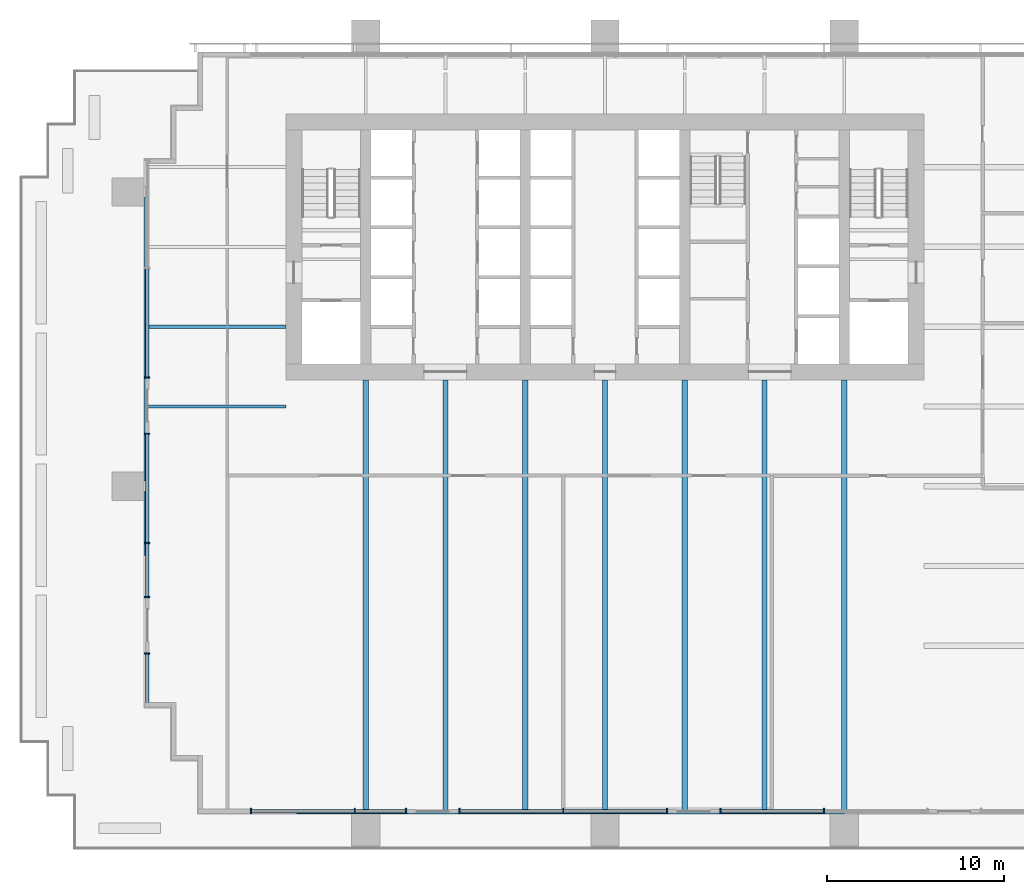
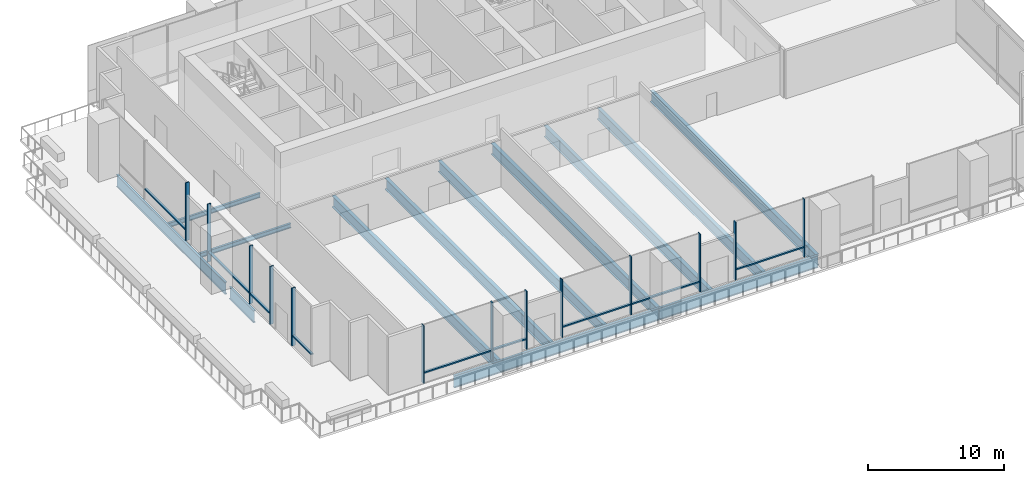
# One storey, part 2 of 15: 22 members, 13 beams, 6 elements without a shape of their own.
"""IFC4 building model written with IfcOpenShell, lengths in metres."""

from ifc_helpers import new_model, si_unit, direction, frame, origin, origin_2d, place, context, subcontext, project, spatial, rectangle, i_section, extrude, material, layer, layer_set, material_profile, profile_set, type_object, element, aggregate, save


model = new_model("IFC4")

# Units and contexts
model_context = context("Model", 3, precision=1e-05, world=origin(), true_north=direction((0.0, 1.0)))
body_context = subcontext(model_context, "Body", "Model", "MODEL_VIEW")
ifc_project = project(units=[si_unit("LENGTHUNIT", "METRE"), si_unit("AREAUNIT", "SQUARE_METRE"), si_unit("VOLUMEUNIT", "CUBIC_METRE"), si_unit("PLANEANGLEUNIT", "RADIAN"), si_unit("MASSUNIT", "GRAM", prefix="KILO")], contexts=[model_context])

# Site, building, storey
site_placement = place(None, origin())
site = spatial("IfcSite", under=ifc_project, at=site_placement, CompositionType="ELEMENT")
building_placement = place(site_placement, origin())
building = spatial("IfcBuilding", under=site, at=building_placement, Name="Rattan Terrace Tower", CompositionType="ELEMENT")
storey_placement = place(building_placement, frame((0.0, 0.0, 74.300048828125)))
storey = spatial("IfcBuildingStorey", under=building, at=storey_placement, Name="L16", CompositionType="ELEMENT", Elevation=74.300048828125)

# Beams
ifc_material_1 = material(Name="Steel S460", Category="steel")
ifc_material_profile_1 = material_profile(ifc_material_1, i_section(OverallWidth=0.179931640625, OverallDepth=1.10009765625, WebThickness=0.01611328125, FlangeThickness=0.050048828125, at=origin_2d()), Name="PG 1100x180-16-50")
ifc_profile_set_1 = profile_set([ifc_material_profile_1], Name="Steel S460")
beam_type_1 = type_object("IfcBeamType", Name="Frame edge girder PG 1100x180-16-50", PredefinedType="SPANDREL", material=ifc_profile_set_1)
beam_1_placement = place(storey_placement, frame((-17.39990234375, -31.909912109375, -0.75), z_axis=(1.0, 0.0, 0.0), x_axis=(0.0, 1.0, 0.0)))
element("IfcBeam", 1, at=beam_1_placement, inside=storey, type_object=beam_type_1, Name="gdr-L16-001", PredefinedType="SPANDREL", context=body_context, shape_type="SweptSolid", body=[
    extrude(i_section(OverallWidth=0.179931640625, OverallDepth=1.10009765625, WebThickness=0.01611328125, FlangeThickness=0.050048828125, at=origin_2d()), origin(), (0.0, 0.0, 1.0), 17.39990234375),
])
beam_2_placement = place(storey_placement, frame((0.0, -31.909912109375, -0.75), z_axis=(1.0, 0.0, 0.0), x_axis=(0.0, 1.0, 0.0)))
element("IfcBeam", 2, at=beam_2_placement, inside=storey, type_object=beam_type_1, Name="gdr-L16-002", PredefinedType="SPANDREL", context=body_context, shape_type="SweptSolid", body=[
    extrude(i_section(OverallWidth=0.179931640625, OverallDepth=1.10009765625, WebThickness=0.01611328125, FlangeThickness=0.050048828125, at=origin_2d()), origin(), (0.0, 0.0, 1.0), 13.5),
])
beam_3_placement = place(storey_placement, frame((-25.909912109375, -13.800048828125, -0.75), z_axis=(0.0, -1.0, 0.0), x_axis=(1.0, 0.0, 0.0)))
element("IfcBeam", 3, at=beam_3_placement, inside=storey, type_object=beam_type_1, Name="gdr-L16-004", PredefinedType="SPANDREL", context=body_context, shape_type="SweptSolid", body=[
    extrude(i_section(OverallWidth=0.179931640625, OverallDepth=1.10009765625, WebThickness=0.01611328125, FlangeThickness=0.050048828125, at=origin_2d()), origin(), (0.0, 0.0, 1.0), 3.599853515625),
])
beam_4_placement = place(storey_placement, frame((-25.909912109375, 2.800048828125, -0.75), z_axis=(0.0, -1.0, 0.0), x_axis=(1.0, 0.0, 0.0)))
element("IfcBeam", 4, at=beam_4_placement, inside=storey, type_object=beam_type_1, Name="gdr-L16-007", PredefinedType="SPANDREL", context=body_context, shape_type="SweptSolid", body=[
    extrude(i_section(OverallWidth=0.179931640625, OverallDepth=1.10009765625, WebThickness=0.01611328125, FlangeThickness=0.050048828125, at=origin_2d()), origin(), (0.0, 0.0, 1.0), 16.0),
])
ifc_material_2 = material(Name="Steel S355", Category="steel")
ifc_material_profile_2 = material_profile(ifc_material_2, i_section(OverallWidth=0.179931640625, OverallDepth=0.39990234375, WebThickness=0.008544921875, FlangeThickness=0.013427734375, FilletRadius=0.02099609375, at=origin_2d()), Name="IPE 400")
ifc_profile_set_2 = profile_set([ifc_material_profile_2], Name="Steel S355")
beam_type_2 = type_object("IfcBeamType", Name="Frame floor beam IPE 400", PredefinedType="JOIST", material=ifc_profile_set_2)
for number, where, z_axis, x_axis, name in (
    (5, (-25.820068359375, -9.0, -0.400146484375), (1.0, 0.0, 0.0), (0.0, 1.0, 0.0), "bm-L16-013"),
    (6, (-25.820068359375, -4.5, -0.400146484375), (1.0, 0.0, 0.0), (0.0, 1.0, 0.0), "bm-L16-016"),
):
    element("IfcBeam", number, at=place(storey_placement, frame(where, z_axis=z_axis, x_axis=x_axis)), inside=storey, type_object=beam_type_2, Name=name, PredefinedType="JOIST", context=body_context, shape_type="SweptSolid", body=[
        extrude(i_section(OverallWidth=0.179931640625, OverallDepth=0.39990234375, WebThickness=0.008544921875, FlangeThickness=0.013427734375, FilletRadius=0.02099609375, at=origin_2d()), origin(), (0.0, 0.0, 1.0), 7.820068359375),
    ])
ifc_material_3 = material(Name="Steel S460", Category="steel")
ifc_material_profile_3 = material_profile(ifc_material_3, i_section(OverallWidth=0.300048828125, OverallDepth=1.0, WebThickness=0.013916015625, FlangeThickness=0.0400390625, at=origin_2d()), Name="PG 1000x300-14-40")
ifc_profile_set_3 = profile_set([ifc_material_profile_3], Name="Steel S460")
beam_type_3 = type_object("IfcBeamType", Name="Frame floor beam PG 1000x300-14-40", PredefinedType="JOIST", material=ifc_profile_set_3)
for number, where, z_axis, x_axis, name in (
    (7, (-13.5, -31.820068359375, -0.699951171875), (0.0, 1.0, 0.0), (-1.0, 0.0, 0.0), "bm-L16-003"),
    (8, (-9.0, -31.820068359375, -0.699951171875), (0.0, 1.0, 0.0), (-1.0, 0.0, 0.0), "bm-L16-004"),
    (9, (-4.5, -31.820068359375, -0.699951171875), (0.0, 1.0, 0.0), (-1.0, 0.0, 0.0), "bm-L16-005"),
    (10, (0.0, -31.820068359375, -0.699951171875), (0.0, 1.0, 0.0), (-1.0, 0.0, 0.0), "bm-L16-006"),
    (11, (4.5, -31.820068359375, -0.699951171875), (0.0, 1.0, 0.0), (-1.0, 0.0, 0.0), "bm-L16-007"),
    (12, (9.0, -31.820068359375, -0.699951171875), (0.0, 1.0, 0.0), (-1.0, 0.0, 0.0), "bm-L16-008"),
    (13, (13.5, -31.820068359375, -0.699951171875), (0.0, 1.0, 0.0), (-1.0, 0.0, 0.0), "bm-L16-009"),
):
    element("IfcBeam", number, at=place(storey_placement, frame(where, z_axis=z_axis, x_axis=x_axis)), inside=storey, type_object=beam_type_3, Name=name, PredefinedType="JOIST", context=body_context, shape_type="SweptSolid", body=[
        extrude(i_section(OverallWidth=0.300048828125, OverallDepth=1.0, WebThickness=0.013916015625, FlangeThickness=0.0400390625, at=origin_2d()), origin(), (0.0, 0.0, 1.0), 24.320068359375),
    ])

# Curtain wall, member
ifc_material_4 = material(Name="Steel fins, aluminium and glass", Category="steel")
ifc_layer = layer(ifc_material_4, 0.300048828125)
ifc_layer_set = layer_set([ifc_layer], Name="Sky Lobby Stick Curtain Wall")
curtain_wall_type = type_object("IfcCurtainWallType", Name="Sky Lobby Stick Curtain Wall", PredefinedType="NOTDEFINED", material=ifc_layer_set)
curtain_wall_1_placement = place(storey_placement, origin())
curtain_wall_1 = element("IfcCurtainWall", 14, at=curtain_wall_1_placement, inside=storey, type_object=curtain_wall_type, Name="Sky lobby curtain wall L16-3", PredefinedType="NOTDEFINED")
ifc_material_5 = material(Name="Steel S355", Category="steel")
ifc_material_profile_4 = material_profile(ifc_material_5, rectangle(XDim=0.080078125, YDim=0.300048828125, at=origin_2d()), Name="Steel S355 80x300")
ifc_profile_set_4 = profile_set([ifc_material_profile_4], Name="Steel S355")
member_type_1 = type_object("IfcMemberType", Name="Sky Lobby CW Fin 80x300", PredefinedType="MULLION", material=ifc_profile_set_4)
member_1_placement = place(storey_placement, frame((-25.830078125, -7.360107421875, 0.0), z_axis=(0.0, 0.0, 1.0), x_axis=(0.0, -1.0, 0.0)))
member_1 = element("IfcMember", 15, at=member_1_placement, type_object=member_type_1, Name="Mullion cwl-L16-003.3", PredefinedType="MULLION", context=body_context, shape_type="SweptSolid", body=[
    extrude(rectangle(XDim=0.080078125, YDim=0.300048828125, at=origin_2d()), origin(), (0.0, 0.0, 1.0), 5.199951171875),
])

# Curtain wall, members
curtain_wall_2_placement = place(storey_placement, origin())
curtain_wall_2 = element("IfcCurtainWall", 16, at=curtain_wall_2_placement, inside=storey, type_object=curtain_wall_type, Name="Sky lobby curtain wall L16-4", PredefinedType="NOTDEFINED")
member_2_placement = place(storey_placement, frame((-25.830078125, -10.5400390625, 0.0), z_axis=(0.0, 0.0, 1.0), x_axis=(0.0, -1.0, 0.0)))
member_2 = element("IfcMember", 17, at=member_2_placement, type_object=member_type_1, Name="Mullion cwl-L16-004.1", PredefinedType="MULLION", context=body_context, shape_type="SweptSolid", body=[
    extrude(rectangle(XDim=0.080078125, YDim=0.300048828125, at=origin_2d()), origin(), (0.0, 0.0, 1.0), 5.199951171875),
])
member_3_placement = place(storey_placement, frame((-25.830078125, -16.699951171875, 0.0), z_axis=(0.0, 0.0, 1.0), x_axis=(0.0, -1.0, 0.0)))
member_3 = element("IfcMember", 18, at=member_3_placement, type_object=member_type_1, Name="Mullion cwl-L16-004.2", PredefinedType="MULLION", context=body_context, shape_type="SweptSolid", body=[
    extrude(rectangle(XDim=0.080078125, YDim=0.300048828125, at=origin_2d()), origin(), (0.0, 0.0, 1.0), 5.199951171875),
])
member_4_placement = place(storey_placement, frame((-25.830078125, -19.760009765625, 0.0), z_axis=(0.0, 0.0, 1.0), x_axis=(0.0, -1.0, 0.0)))
member_4 = element("IfcMember", 19, at=member_4_placement, type_object=member_type_1, Name="Mullion cwl-L16-004.3", PredefinedType="MULLION", context=body_context, shape_type="SweptSolid", body=[
    extrude(rectangle(XDim=0.080078125, YDim=0.300048828125, at=origin_2d()), origin(), (0.0, 0.0, 1.0), 5.199951171875),
])

# Curtain wall, member
curtain_wall_3_placement = place(storey_placement, origin())
curtain_wall_3 = element("IfcCurtainWall", 20, at=curtain_wall_3_placement, inside=storey, type_object=curtain_wall_type, Name="Sky lobby curtain wall L16-5", PredefinedType="NOTDEFINED")
member_5_placement = place(storey_placement, frame((-25.830078125, -22.93994140625, 0.0), z_axis=(0.0, 0.0, 1.0), x_axis=(0.0, -1.0, 0.0)))
member_5 = element("IfcMember", 21, at=member_5_placement, type_object=member_type_1, Name="Mullion cwl-L16-005.1", PredefinedType="MULLION", context=body_context, shape_type="SweptSolid", body=[
    extrude(rectangle(XDim=0.080078125, YDim=0.300048828125, at=origin_2d()), origin(), (0.0, 0.0, 1.0), 5.199951171875),
])

# Curtain wall, members
curtain_wall_4_placement = place(storey_placement, origin())
curtain_wall_4 = element("IfcCurtainWall", 22, at=curtain_wall_4_placement, inside=storey, type_object=curtain_wall_type, Name="Sky lobby curtain wall L16-6", PredefinedType="NOTDEFINED")
member_6_placement = place(storey_placement, frame((-19.9599609375, -31.830078125, 0.0), z_axis=(0.0, 0.0, 1.0), x_axis=(1.0, 0.0, 0.0)))
member_6 = element("IfcMember", 23, at=member_6_placement, type_object=member_type_1, Name="Mullion cwl-L16-006.1", PredefinedType="MULLION", context=body_context, shape_type="SweptSolid", body=[
    extrude(rectangle(XDim=0.080078125, YDim=0.300048828125, at=origin_2d()), origin(), (0.0, 0.0, 1.0), 5.199951171875),
])
member_7_placement = place(storey_placement, frame((-14.117919921875, -31.830078125, 0.0), z_axis=(0.0, 0.0, 1.0), x_axis=(1.0, 0.0, 0.0)))
member_7 = element("IfcMember", 24, at=member_7_placement, type_object=member_type_1, Name="Mullion cwl-L16-006.2", PredefinedType="MULLION", context=body_context, shape_type="SweptSolid", body=[
    extrude(rectangle(XDim=0.080078125, YDim=0.300048828125, at=origin_2d()), origin(), (0.0, 0.0, 1.0), 5.199951171875),
])
member_8_placement = place(storey_placement, frame((-11.217041015625, -31.830078125, 0.0), z_axis=(0.0, 0.0, 1.0), x_axis=(1.0, 0.0, 0.0)))
member_8 = element("IfcMember", 25, at=member_8_placement, type_object=member_type_1, Name="Mullion cwl-L16-006.3", PredefinedType="MULLION", context=body_context, shape_type="SweptSolid", body=[
    extrude(rectangle(XDim=0.080078125, YDim=0.300048828125, at=origin_2d()), origin(), (0.0, 0.0, 1.0), 5.199951171875),
])

curtain_wall_5_placement = place(storey_placement, origin())
curtain_wall_5 = element("IfcCurtainWall", 26, at=curtain_wall_5_placement, inside=storey, type_object=curtain_wall_type, Name="Sky lobby curtain wall L16-7", PredefinedType="NOTDEFINED")
member_9_placement = place(storey_placement, frame((-8.196044921875, -31.830078125, 0.0), z_axis=(0.0, 0.0, 1.0), x_axis=(1.0, 0.0, 0.0)))
member_9 = element("IfcMember", 27, at=member_9_placement, type_object=member_type_1, Name="Mullion cwl-L16-007.1", PredefinedType="MULLION", context=body_context, shape_type="SweptSolid", body=[
    extrude(rectangle(XDim=0.080078125, YDim=0.300048828125, at=origin_2d()), origin(), (0.0, 0.0, 1.0), 5.199951171875),
])
member_10_placement = place(storey_placement, frame((-2.35400390625, -31.830078125, 0.0), z_axis=(0.0, 0.0, 1.0), x_axis=(1.0, 0.0, 0.0)))
member_10 = element("IfcMember", 28, at=member_10_placement, type_object=member_type_1, Name="Mullion cwl-L16-007.2", PredefinedType="MULLION", context=body_context, shape_type="SweptSolid", body=[
    extrude(rectangle(XDim=0.080078125, YDim=0.300048828125, at=origin_2d()), origin(), (0.0, 0.0, 1.0), 5.199951171875),
])
member_11_placement = place(storey_placement, frame((3.488037109375, -31.830078125, 0.0), z_axis=(0.0, 0.0, 1.0), x_axis=(1.0, 0.0, 0.0)))
member_11 = element("IfcMember", 29, at=member_11_placement, type_object=member_type_1, Name="Mullion cwl-L16-007.3", PredefinedType="MULLION", context=body_context, shape_type="SweptSolid", body=[
    extrude(rectangle(XDim=0.080078125, YDim=0.300048828125, at=origin_2d()), origin(), (0.0, 0.0, 1.0), 5.199951171875),
])

curtain_wall_6_placement = place(storey_placement, origin())
curtain_wall_6 = element("IfcCurtainWall", 30, at=curtain_wall_6_placement, inside=storey, type_object=curtain_wall_type, Name="Sky lobby curtain wall L16-8", PredefinedType="NOTDEFINED")
member_12_placement = place(storey_placement, frame((6.509033203125, -31.830078125, 0.0), z_axis=(0.0, 0.0, 1.0), x_axis=(1.0, 0.0, 0.0)))
member_12 = element("IfcMember", 31, at=member_12_placement, type_object=member_type_1, Name="Mullion cwl-L16-008.1", PredefinedType="MULLION", context=body_context, shape_type="SweptSolid", body=[
    extrude(rectangle(XDim=0.080078125, YDim=0.300048828125, at=origin_2d()), origin(), (0.0, 0.0, 1.0), 5.199951171875),
])
member_13_placement = place(storey_placement, frame((12.35107421875, -31.830078125, 0.0), z_axis=(0.0, 0.0, 1.0), x_axis=(1.0, 0.0, 0.0)))
member_13 = element("IfcMember", 32, at=member_13_placement, type_object=member_type_1, Name="Mullion cwl-L16-008.2", PredefinedType="MULLION", context=body_context, shape_type="SweptSolid", body=[
    extrude(rectangle(XDim=0.080078125, YDim=0.300048828125, at=origin_2d()), origin(), (0.0, 0.0, 1.0), 5.199951171875),
])

# Member
ifc_material_6 = material(Name="Aluminium", Category="aluminium")
ifc_material_profile_5 = material_profile(ifc_material_6, rectangle(XDim=0.199951171875, YDim=0.1201171875, at=origin_2d()), Name="Aluminium 200x120")
ifc_profile_set_5 = profile_set([ifc_material_profile_5], Name="Aluminium")
member_type_2 = type_object("IfcMemberType", Name="Sky Lobby CW Transom 200x120", PredefinedType="USERDEFINED", material=ifc_profile_set_5)
member_14_placement = place(storey_placement, frame((-25.830078125, -1.239990234375, 0.89990234375), z_axis=(0.0, -1.0, 0.0), x_axis=(1.0, 0.0, 0.0)))
member_14 = element("IfcMember", 33, at=member_14_placement, type_object=member_type_2, Name="Transom cwl-L16-003.2", ObjectType="TRANSOM", PredefinedType="USERDEFINED", context=body_context, shape_type="SweptSolid", body=[
    extrude(rectangle(XDim=0.199951171875, YDim=0.1201171875, at=origin_2d()), origin(), (0.0, 0.0, 1.0), 6.080078125),
])

aggregate(curtain_wall_1, [member_1, member_14])

member_15_placement = place(storey_placement, frame((-25.830078125, -10.580078125, 0.89990234375), z_axis=(0.0, -1.0, 0.0), x_axis=(1.0, 0.0, 0.0)))
member_15 = element("IfcMember", 34, at=member_15_placement, type_object=member_type_2, Name="Transom cwl-L16-004.1", ObjectType="TRANSOM", PredefinedType="USERDEFINED", context=body_context, shape_type="SweptSolid", body=[
    extrude(rectangle(XDim=0.199951171875, YDim=0.1201171875, at=origin_2d()), origin(), (0.0, 0.0, 1.0), 6.079833984375),
])

member_16_placement = place(storey_placement, frame((-25.830078125, -16.739990234375, 0.89990234375), z_axis=(0.0, -1.0, 0.0), x_axis=(1.0, 0.0, 0.0)))
member_16 = element("IfcMember", 35, at=member_16_placement, type_object=member_type_2, Name="Transom cwl-L16-004.2", ObjectType="TRANSOM", PredefinedType="USERDEFINED", context=body_context, shape_type="SweptSolid", body=[
    extrude(rectangle(XDim=0.199951171875, YDim=0.1201171875, at=origin_2d()), origin(), (0.0, 0.0, 1.0), 2.97998046875),
])

aggregate(curtain_wall_2, [member_2, member_3, member_4, member_15, member_16])

member_17_placement = place(storey_placement, frame((-25.830078125, -22.97998046875, 0.89990234375), z_axis=(0.0, -1.0, 0.0), x_axis=(1.0, 0.0, 0.0)))
member_17 = element("IfcMember", 36, at=member_17_placement, type_object=member_type_2, Name="Transom cwl-L16-005.1", ObjectType="TRANSOM", PredefinedType="USERDEFINED", context=body_context, shape_type="SweptSolid", body=[
    extrude(rectangle(XDim=0.199951171875, YDim=0.1201171875, at=origin_2d()), origin(), (0.0, 0.0, 1.0), 2.72509765625),
])

aggregate(curtain_wall_3, [member_5, member_17])

member_18_placement = place(storey_placement, frame((-19.919921875, -31.830078125, 0.89990234375), z_axis=(1.0, 0.0, 0.0), x_axis=(0.0, 1.0, 0.0)))
member_18 = element("IfcMember", 37, at=member_18_placement, type_object=member_type_2, Name="Transom cwl-L16-006.1", ObjectType="TRANSOM", PredefinedType="USERDEFINED", context=body_context, shape_type="SweptSolid", body=[
    extrude(rectangle(XDim=0.199951171875, YDim=0.1201171875, at=origin_2d()), origin(), (0.0, 0.0, 1.0), 5.761962890625),
])

member_19_placement = place(storey_placement, frame((-14.077880859375, -31.830078125, 0.89990234375), z_axis=(1.0, 0.0, 0.0), x_axis=(0.0, 1.0, 0.0)))
member_19 = element("IfcMember", 38, at=member_19_placement, type_object=member_type_2, Name="Transom cwl-L16-006.2", ObjectType="TRANSOM", PredefinedType="USERDEFINED", context=body_context, shape_type="SweptSolid", body=[
    extrude(rectangle(XDim=0.199951171875, YDim=0.1201171875, at=origin_2d()), origin(), (0.0, 0.0, 1.0), 2.82080078125),
])

aggregate(curtain_wall_4, [member_6, member_7, member_8, member_18, member_19])

member_20_placement = place(storey_placement, frame((-8.156005859375, -31.830078125, 0.89990234375), z_axis=(1.0, 0.0, 0.0), x_axis=(0.0, 1.0, 0.0)))
member_20 = element("IfcMember", 39, at=member_20_placement, type_object=member_type_2, Name="Transom cwl-L16-007.1", ObjectType="TRANSOM", PredefinedType="USERDEFINED", context=body_context, shape_type="SweptSolid", body=[
    extrude(rectangle(XDim=0.199951171875, YDim=0.1201171875, at=origin_2d()), origin(), (0.0, 0.0, 1.0), 5.761962890625),
])

member_21_placement = place(storey_placement, frame((-2.31396484375, -31.830078125, 0.89990234375), z_axis=(1.0, 0.0, 0.0), x_axis=(0.0, 1.0, 0.0)))
member_21 = element("IfcMember", 40, at=member_21_placement, type_object=member_type_2, Name="Transom cwl-L16-007.2", ObjectType="TRANSOM", PredefinedType="USERDEFINED", context=body_context, shape_type="SweptSolid", body=[
    extrude(rectangle(XDim=0.199951171875, YDim=0.1201171875, at=origin_2d()), origin(), (0.0, 0.0, 1.0), 5.761962890625),
])

aggregate(curtain_wall_5, [member_9, member_10, member_11, member_20, member_21])

member_22_placement = place(storey_placement, frame((6.549072265625, -31.830078125, 0.89990234375), z_axis=(1.0, 0.0, 0.0), x_axis=(0.0, 1.0, 0.0)))
member_22 = element("IfcMember", 41, at=member_22_placement, type_object=member_type_2, Name="Transom cwl-L16-008.1", ObjectType="TRANSOM", PredefinedType="USERDEFINED", context=body_context, shape_type="SweptSolid", body=[
    extrude(rectangle(XDim=0.199951171875, YDim=0.1201171875, at=origin_2d()), origin(), (0.0, 0.0, 1.0), 5.761962890625),
])

aggregate(curtain_wall_6, [member_12, member_13, member_22])

save(model, "model.ifc")
